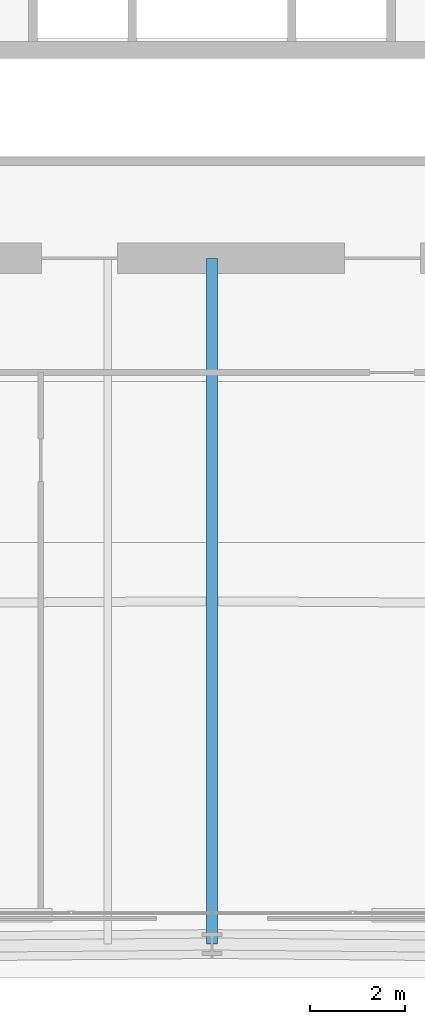
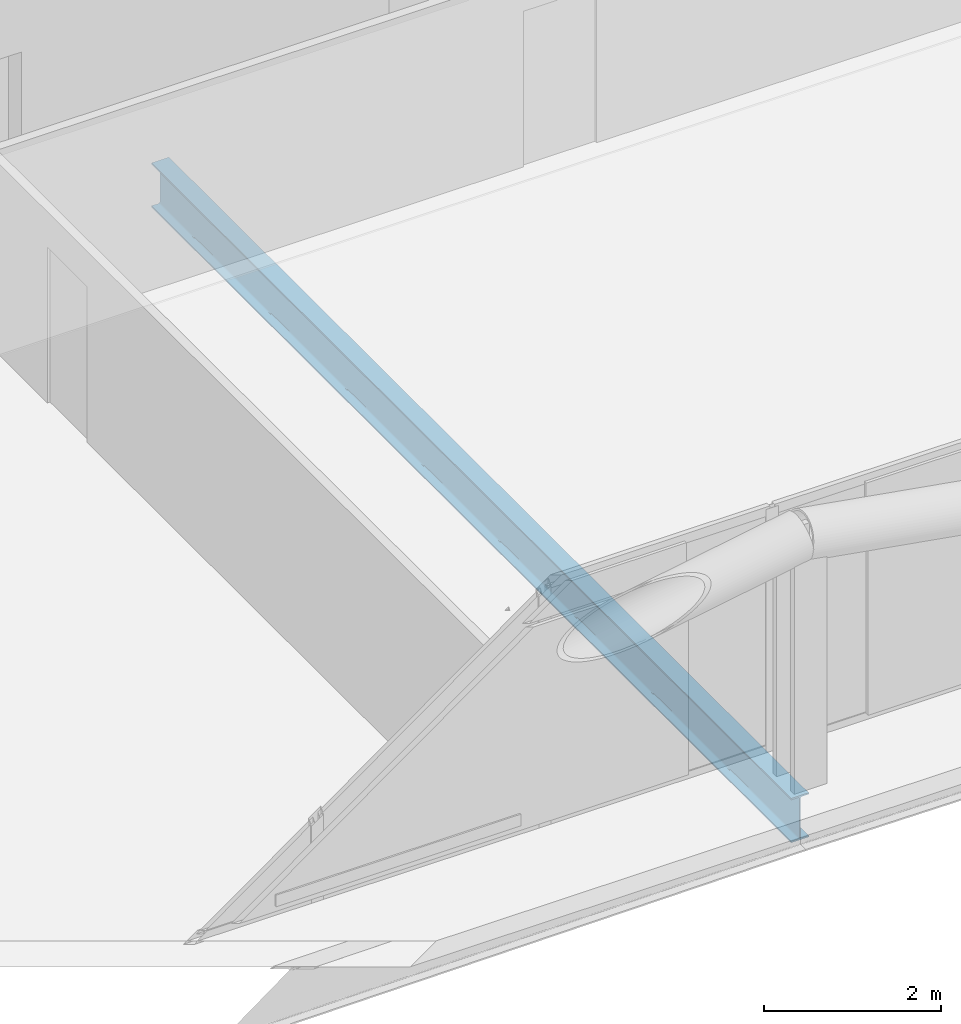
# One storey, part 12 of 50: 1 beam.
"""IFC4 building model written with IfcOpenShell, lengths in metres."""

from ifc_helpers import new_model, si_unit, direction, frame, origin, origin_2d, place, context, subcontext, project, spatial, i_section, extrude, material, material_profile, profile_set, type_object, element, save


model = new_model("IFC4")

# Units and contexts
model_context = context("Model", 3, precision=1e-05, world=origin(), true_north=direction((0.0, 1.0)))
body_context = subcontext(model_context, "Body", "Model", "MODEL_VIEW")
ifc_project = project(units=[si_unit("LENGTHUNIT", "METRE"), si_unit("AREAUNIT", "SQUARE_METRE"), si_unit("VOLUMEUNIT", "CUBIC_METRE"), si_unit("PLANEANGLEUNIT", "RADIAN"), si_unit("MASSUNIT", "GRAM", prefix="KILO")], contexts=[model_context])

# Site, building, storey
site_placement = place(None, origin())
site = spatial("IfcSite", under=ifc_project, at=site_placement, CompositionType="ELEMENT")
building_placement = place(site_placement, origin())
building = spatial("IfcBuilding", under=site, at=building_placement, Name="Caelvoria Tower", CompositionType="ELEMENT")
storey_placement = place(building_placement, frame((0.0, 0.0, 71.199951171875)))
storey = spatial("IfcBuildingStorey", under=building, at=storey_placement, Name="L18", CompositionType="ELEMENT", Elevation=71.199951171875)

# Beam
ifc_material = material(Name="Structural Steel ASTM A992 Gr.50", Category="steel")
ifc_material_profile = material_profile(ifc_material, i_section(OverallWidth=0.22900390625, OverallDepth=0.612060546875, WebThickness=0.011962890625, FlangeThickness=0.01953125, FilletRadius=0.01806640625, at=origin_2d()), Name="Structural Steel ASTM A992 Gr.50")
ifc_profile_set = profile_set([ifc_material_profile], Name="W610X125 - Structural Steel ASTM A992 Gr.50")
beam_type = type_object("IfcBeamType", Name="Primary Radial Floor Girder W610X125", PredefinedType="BEAM", material=ifc_profile_set)
beam_placement = place(storey_placement, frame((46.0, 24.0, -0.5458984375), z_axis=(0.0, -1.0, 0.0), x_axis=(1.0, 0.0, 0.0)))
element("IfcBeam", 1, at=beam_placement, inside=storey, type_object=beam_type, Name="Primary Floor Girder L18-01", PredefinedType="BEAM", context=body_context, shape_type="SweptSolid", body=[
    extrude(i_section(OverallWidth=0.22900390625, OverallDepth=0.612060546875, WebThickness=0.011962890625, FlangeThickness=0.01953125, FilletRadius=0.01806640625, at=origin_2d()), origin(), (0.0, 0.0, 1.0), 14.47998046875),
])

save(model, "model.ifc")
